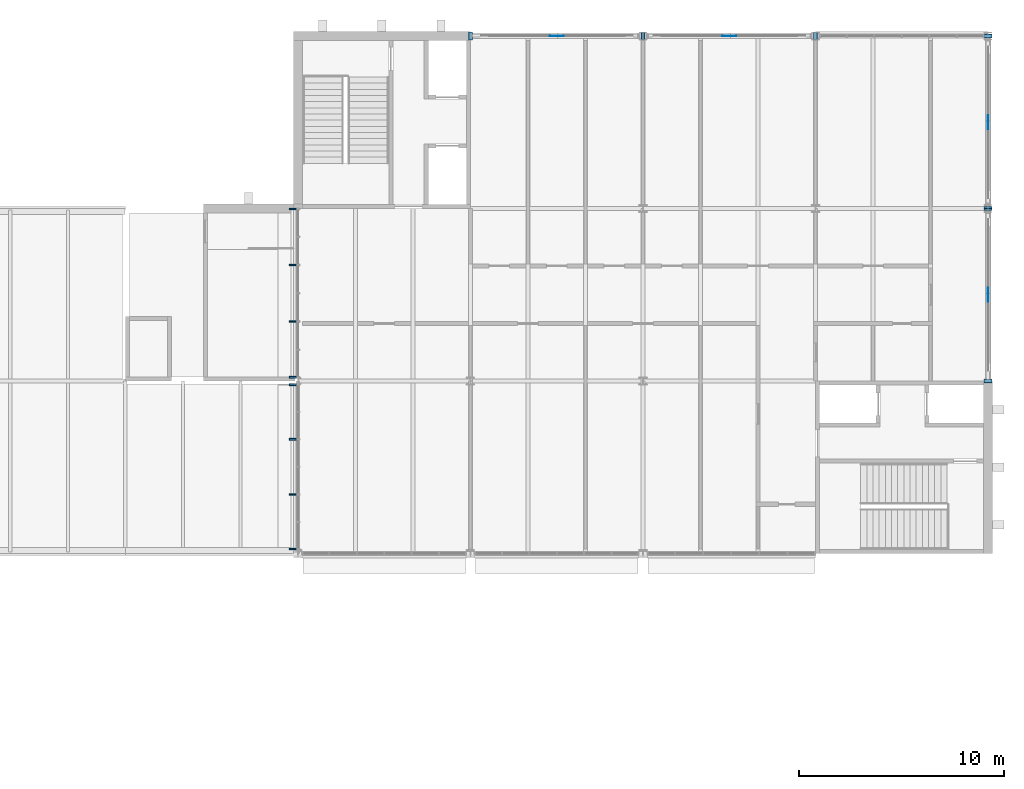
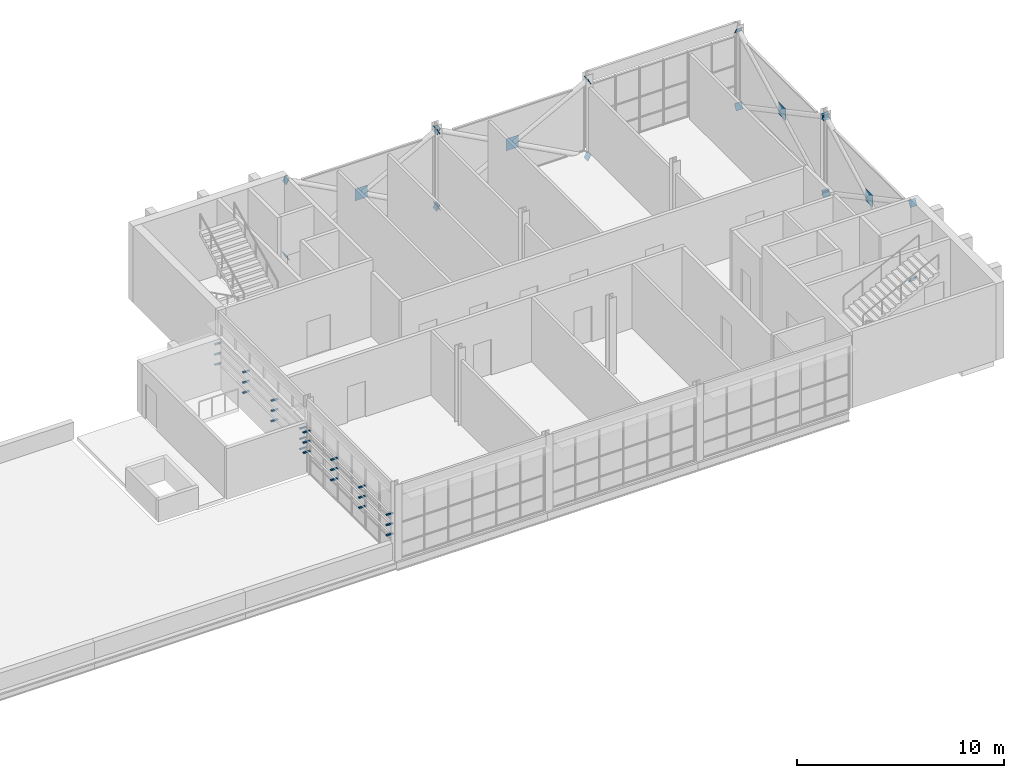
# One storey, part 27 of 29: 44 discrete accessories.
"""IFC4 building model written with IfcOpenShell, lengths in metres."""

from ifc_helpers import new_model, si_unit, direction, frame, origin, origin_2d, place, context, subcontext, project, spatial, rectangle, extrude, material, material_profile, profile_set, type_object, element, save


model = new_model("IFC4")

# Units and contexts
model_context = context("Model", 3, precision=1e-05, world=origin(), true_north=direction((0.0, 1.0)))
body_context = subcontext(model_context, "Body", "Model", "MODEL_VIEW")
ifc_project = project(units=[si_unit("LENGTHUNIT", "METRE"), si_unit("AREAUNIT", "SQUARE_METRE"), si_unit("VOLUMEUNIT", "CUBIC_METRE"), si_unit("PLANEANGLEUNIT", "RADIAN"), si_unit("MASSUNIT", "GRAM", prefix="KILO")], contexts=[model_context])

# Site, building, storey
site_placement = place(None, origin())
site = spatial("IfcSite", under=ifc_project, at=site_placement, CompositionType="ELEMENT")
building_placement = place(site_placement, origin())
building = spatial("IfcBuilding", under=site, at=building_placement, Name="Ardhachandra Cancer Care Centre", CompositionType="ELEMENT")
storey_placement = place(building_placement, frame((0.0, 0.0, 13.5)))
storey = spatial("IfcBuildingStorey", under=building, at=storey_placement, Name="L03", CompositionType="ELEMENT", Elevation=13.5)

# Discrete accessories
ifc_material_1 = material(Name="Steel E250 (IS 2062)", Category="steel")
ifc_material_profile_1 = material_profile(ifc_material_1, rectangle(XDim=0.373046875, YDim=0.373046875, at=origin_2d()), Name="PL 373x373x20")
ifc_profile_set_1 = profile_set([ifc_material_profile_1], Name="Steel E250 (IS 2062)")
discrete_accessory_type_1 = type_object("IfcDiscreteAccessoryType", Name="Brace end plate 373 x 373 x 20", PredefinedType="BRACKET", material=ifc_profile_set_1)
discrete_accessory_1_placement = place(storey_placement, frame((120.0, 105.0, -0.39990234375), z_axis=(0.884384752847, 0.0, 0.466758619558), x_axis=(0.0, 1.0, 0.0)))
element("IfcDiscreteAccessory", 1, at=discrete_accessory_1_placement, inside=storey, type_object=discrete_accessory_type_1, Name="Brace end plate V5-X1050-1200 L03 A0", PredefinedType="BRACKET", context=body_context, shape_type="SweptSolid", body=[
    extrude(rectangle(XDim=0.373046875, YDim=0.373046875, at=origin_2d()), origin(), (0.0, 0.0, 1.0), 0.019775390625),
])
discrete_accessory_2_placement = place(storey_placement, frame((128.39990234375, 105.0, 4.10009765625), z_axis=(-0.879291966537, 0.0, -0.476283148541), x_axis=(0.0, -1.0, 0.0)))
element("IfcDiscreteAccessory", 2, at=discrete_accessory_2_placement, inside=storey, type_object=discrete_accessory_type_1, Name="Brace end plate V5-X1050-1200 L03 A1", PredefinedType="BRACKET", context=body_context, shape_type="SweptSolid", body=[
    extrude(rectangle(XDim=0.373046875, YDim=0.373046875, at=origin_2d()), origin(), (0.0, 0.0, 1.0), 0.02001953125),
])
discrete_accessory_3_placement = place(storey_placement, frame((128.39990234375, 105.0, -0.39990234375), z_axis=(-0.884384752847, 0.0, 0.466758619558), x_axis=(0.0, -1.0, 0.0)))
element("IfcDiscreteAccessory", 3, at=discrete_accessory_3_placement, inside=storey, type_object=discrete_accessory_type_1, Name="Brace end plate V5-X1050-1200 L03 B10", PredefinedType="BRACKET", context=body_context, shape_type="SweptSolid", body=[
    extrude(rectangle(XDim=0.373046875, YDim=0.373046875, at=origin_2d()), origin(), (0.0, 0.0, 1.0), 0.019775390625),
])
for number, where, z_axis, x_axis, name in (
    (4, (120.0, 105.0, 4.10009765625), (0.879291966537, 0.0, -0.476283148541), (0.0, 1.0, 0.0), "Brace end plate V5-X1050-1200 L03 B21"),
    (5, (128.39990234375, 105.0, -0.39990234375), (0.887017774073, 0.0, 0.461735279655), (0.0, 1.0, 0.0), "Brace end plate V5-X1050-1284 L03 A0"),
    (6, (136.800048828125, 105.0, 4.10009765625), (-0.879291966537, 0.0, -0.476283148541), (0.0, -1.0, 0.0), "Brace end plate V5-X1050-1284 L03 A1"),
):
    element("IfcDiscreteAccessory", number, at=place(storey_placement, frame(where, z_axis=z_axis, x_axis=x_axis)), inside=storey, type_object=discrete_accessory_type_1, Name=name, PredefinedType="BRACKET", context=body_context, shape_type="SweptSolid", body=[
        extrude(rectangle(XDim=0.373046875, YDim=0.373046875, at=origin_2d()), origin(), (0.0, 0.0, 1.0), 0.02001953125),
    ])
discrete_accessory_4_placement = place(storey_placement, frame((136.800048828125, 105.0, -0.39990234375), z_axis=(-0.884384752847, 0.0, 0.466758619558), x_axis=(0.0, -1.0, 0.0)))
element("IfcDiscreteAccessory", 7, at=discrete_accessory_4_placement, inside=storey, type_object=discrete_accessory_type_1, Name="Brace end plate V5-X1050-1284 L03 B10", PredefinedType="BRACKET", context=body_context, shape_type="SweptSolid", body=[
    extrude(rectangle(XDim=0.373046875, YDim=0.373046875, at=origin_2d()), origin(), (0.0, 0.0, 1.0), 0.019775390625),
])
discrete_accessory_5_placement = place(storey_placement, frame((128.39990234375, 105.0, 4.10009765625), z_axis=(0.882018256262, 0.0, -0.471215232798), x_axis=(0.0, 1.0, 0.0)))
element("IfcDiscreteAccessory", 8, at=discrete_accessory_5_placement, inside=storey, type_object=discrete_accessory_type_1, Name="Brace end plate V5-X1050-1284 L03 B21", PredefinedType="BRACKET", context=body_context, shape_type="SweptSolid", body=[
    extrude(rectangle(XDim=0.373046875, YDim=0.373046875, at=origin_2d()), origin(), (0.0, 0.0, 1.0), 0.020263671875),
])
discrete_accessory_6_placement = place(storey_placement, frame((145.199951171875, 88.199951171875, -0.39990234375), z_axis=(0.0, 0.884384752847, 0.466758619558), x_axis=(-1.0, 0.0, 0.0)))
element("IfcDiscreteAccessory", 9, at=discrete_accessory_6_placement, inside=storey, type_object=discrete_accessory_type_1, Name="Brace end plate V5-Y1452-882 L03 A0", PredefinedType="BRACKET", context=body_context, shape_type="SweptSolid", body=[
    extrude(rectangle(XDim=0.373046875, YDim=0.373046875, at=origin_2d()), origin(), (0.0, 0.0, 1.0), 0.019775390625),
])
discrete_accessory_7_placement = place(storey_placement, frame((145.199951171875, 96.60009765625, 4.10009765625), z_axis=(0.0, -0.882018256262, -0.471215232798), x_axis=(1.0, 0.0, 0.0)))
element("IfcDiscreteAccessory", 10, at=discrete_accessory_7_placement, inside=storey, type_object=discrete_accessory_type_1, Name="Brace end plate V5-Y1452-882 L03 A1", PredefinedType="BRACKET", context=body_context, shape_type="SweptSolid", body=[
    extrude(rectangle(XDim=0.373046875, YDim=0.373046875, at=origin_2d()), origin(), (0.0, 0.0, 1.0), 0.020263671875),
])
for number, where, z_axis, x_axis, name in (
    (11, (145.199951171875, 96.60009765625, -0.39990234375), (0.0, -0.887017774073, 0.461735279655), (1.0, 0.0, 0.0), "Brace end plate V5-Y1452-882 L03 B10"),
    (12, (145.199951171875, 88.199951171875, 4.10009765625), (0.0, 0.879291966537, -0.476283148541), (-1.0, 0.0, 0.0), "Brace end plate V5-Y1452-882 L03 B21"),
):
    element("IfcDiscreteAccessory", number, at=place(storey_placement, frame(where, z_axis=z_axis, x_axis=x_axis)), inside=storey, type_object=discrete_accessory_type_1, Name=name, PredefinedType="BRACKET", context=body_context, shape_type="SweptSolid", body=[
        extrude(rectangle(XDim=0.373046875, YDim=0.373046875, at=origin_2d()), origin(), (0.0, 0.0, 1.0), 0.02001953125),
    ])
discrete_accessory_8_placement = place(storey_placement, frame((145.199951171875, 96.60009765625, -0.39990234375), z_axis=(0.0, 0.884384752847, 0.466758619558), x_axis=(-1.0, 0.0, 0.0)))
element("IfcDiscreteAccessory", 13, at=discrete_accessory_8_placement, inside=storey, type_object=discrete_accessory_type_1, Name="Brace end plate V5-Y1452-966 L03 A0", PredefinedType="BRACKET", context=body_context, shape_type="SweptSolid", body=[
    extrude(rectangle(XDim=0.373046875, YDim=0.373046875, at=origin_2d()), origin(), (0.0, 0.0, 1.0), 0.019775390625),
])
discrete_accessory_9_placement = place(storey_placement, frame((145.199951171875, 105.0, 4.10009765625), z_axis=(0.0, -0.879291966537, -0.476283148541), x_axis=(1.0, 0.0, 0.0)))
element("IfcDiscreteAccessory", 14, at=discrete_accessory_9_placement, inside=storey, type_object=discrete_accessory_type_1, Name="Brace end plate V5-Y1452-966 L03 A1", PredefinedType="BRACKET", context=body_context, shape_type="SweptSolid", body=[
    extrude(rectangle(XDim=0.373046875, YDim=0.373046875, at=origin_2d()), origin(), (0.0, 0.0, 1.0), 0.02001953125),
])
discrete_accessory_10_placement = place(storey_placement, frame((145.199951171875, 105.0, -0.39990234375), z_axis=(0.0, -0.884384752847, 0.466758619558), x_axis=(1.0, 0.0, 0.0)))
element("IfcDiscreteAccessory", 15, at=discrete_accessory_10_placement, inside=storey, type_object=discrete_accessory_type_1, Name="Brace end plate V5-Y1452-966 L03 B10", PredefinedType="BRACKET", context=body_context, shape_type="SweptSolid", body=[
    extrude(rectangle(XDim=0.373046875, YDim=0.373046875, at=origin_2d()), origin(), (0.0, 0.0, 1.0), 0.019775390625),
])
discrete_accessory_11_placement = place(storey_placement, frame((145.199951171875, 96.60009765625, 4.10009765625), z_axis=(0.0, 0.879291966537, -0.476283148541), x_axis=(-1.0, 0.0, 0.0)))
element("IfcDiscreteAccessory", 16, at=discrete_accessory_11_placement, inside=storey, type_object=discrete_accessory_type_1, Name="Brace end plate V5-Y1452-966 L03 B21", PredefinedType="BRACKET", context=body_context, shape_type="SweptSolid", body=[
    extrude(rectangle(XDim=0.373046875, YDim=0.373046875, at=origin_2d()), origin(), (0.0, 0.0, 1.0), 0.02001953125),
])
ifc_material_2 = material(Name="Steel E250 (IS 2062)", Category="steel")
ifc_material_profile_2 = material_profile(ifc_material_2, rectangle(XDim=0.699951171875, YDim=0.699951171875, at=origin_2d()), Name="PL 700x700x20")
ifc_profile_set_2 = profile_set([ifc_material_profile_2], Name="Steel E250 (IS 2062)")
discrete_accessory_type_2 = type_object("IfcDiscreteAccessoryType", Name="Brace node plate 700 x 700 x 20", PredefinedType="BRACKET", material=ifc_profile_set_2)
for number, where, z_axis, x_axis, name in (
    (17, (124.199951171875, 104.989990234375, 1.85009765625), (0.0, 1.0, 0.0), (-1.0, 0.0, 0.0), "Brace node plate V5-X1050-1200 L03"),
    (18, (132.60009765625, 104.989990234375, 1.85009765625), (0.0, 1.0, 0.0), (-1.0, 0.0, 0.0), "Brace node plate V5-X1050-1284 L03"),
    (19, (145.18994140625, 92.39990234375, 1.85009765625), (1.0, 0.0, 0.0), (0.0, 1.0, 0.0), "Brace node plate V5-Y1452-882 L03"),
    (20, (145.18994140625, 100.800048828125, 1.85009765625), (1.0, 0.0, 0.0), (0.0, 1.0, 0.0), "Brace node plate V5-Y1452-966 L03"),
):
    element("IfcDiscreteAccessory", number, at=place(storey_placement, frame(where, z_axis=z_axis, x_axis=x_axis)), inside=storey, type_object=discrete_accessory_type_2, Name=name, PredefinedType="BRACKET", context=body_context, shape_type="SweptSolid", body=[
        extrude(rectangle(XDim=0.699951171875, YDim=0.699951171875, at=origin_2d()), origin(), (0.0, 0.0, 1.0), 0.02001953125),
    ])
ifc_material_3 = material(Name="Galvanised flat steel (Steel E250 (IS 2062))", Category="steel")
discrete_accessory_type_3 = type_object("IfcDiscreteAccessoryType", Name="Louvre bracket 80 x 350", PredefinedType="BRACKET", material=ifc_material_3)
for number, where, z_axis, x_axis, name in (
    (21, (111.344970703125, 80.02001953125, 1.38427734375), (0.0, 0.0, 1.0), (0.0, 1.0, 0.0), "Louvre bracket L03/w/0111600_0079800 1.1"),
    (22, (111.344970703125, 82.6767578125, 1.38427734375), (0.0, 0.0, 1.0), (0.0, 1.0, 0.0), "Louvre bracket L03/w/0111600_0079800 1.2"),
    (23, (111.344970703125, 85.36328125, 1.38427734375), (0.0, 0.0, 1.0), (0.0, 1.0, 0.0), "Louvre bracket L03/w/0111600_0079800 1.3"),
    (24, (111.344970703125, 88.02001953125, 1.38427734375), (0.0, 0.0, 1.0), (0.0, 1.0, 0.0), "Louvre bracket L03/w/0111600_0079800 1.4"),
    (25, (111.344970703125, 80.02001953125, 1.984375), (0.0, 0.0, 1.0), (0.0, 1.0, 0.0), "Louvre bracket L03/w/0111600_0079800 2.1"),
    (26, (111.344970703125, 82.6767578125, 1.984375), (0.0, 0.0, 1.0), (0.0, 1.0, 0.0), "Louvre bracket L03/w/0111600_0079800 2.2"),
    (27, (111.344970703125, 85.36328125, 1.984375), (0.0, 0.0, 1.0), (0.0, 1.0, 0.0), "Louvre bracket L03/w/0111600_0079800 2.3"),
    (28, (111.344970703125, 88.02001953125, 1.984375), (0.0, 0.0, 1.0), (0.0, 1.0, 0.0), "Louvre bracket L03/w/0111600_0079800 2.4"),
    (29, (111.344970703125, 80.02001953125, 2.58447265625), (0.0, 0.0, 1.0), (0.0, 1.0, 0.0), "Louvre bracket L03/w/0111600_0079800 3.1"),
    (30, (111.344970703125, 82.6767578125, 2.58447265625), (0.0, 0.0, 1.0), (0.0, 1.0, 0.0), "Louvre bracket L03/w/0111600_0079800 3.2"),
    (31, (111.344970703125, 85.36328125, 2.58447265625), (0.0, 0.0, 1.0), (0.0, 1.0, 0.0), "Louvre bracket L03/w/0111600_0079800 3.3"),
    (32, (111.344970703125, 88.02001953125, 2.58447265625), (0.0, 0.0, 1.0), (0.0, 1.0, 0.0), "Louvre bracket L03/w/0111600_0079800 3.4"),
    (33, (111.344970703125, 88.3798828125, 1.38427734375), (0.0, 0.0, 1.0), (0.0, 1.0, 0.0), "Louvre bracket L03/w/0111600_0088200 1.1"),
    (34, (111.344970703125, 91.10009765625, 1.38427734375), (0.0, 0.0, 1.0), (0.0, 1.0, 0.0), "Louvre bracket L03/w/0111600_0088200 1.2"),
    (35, (111.344970703125, 93.85009765625, 1.38427734375), (0.0, 0.0, 1.0), (0.0, 1.0, 0.0), "Louvre bracket L03/w/0111600_0088200 1.3"),
    (36, (111.344970703125, 96.570068359375, 1.38427734375), (0.0, 0.0, 1.0), (0.0, 1.0, 0.0), "Louvre bracket L03/w/0111600_0088200 1.4"),
    (37, (111.344970703125, 88.3798828125, 1.984375), (0.0, 0.0, 1.0), (0.0, 1.0, 0.0), "Louvre bracket L03/w/0111600_0088200 2.1"),
    (38, (111.344970703125, 91.10009765625, 1.984375), (0.0, 0.0, 1.0), (0.0, 1.0, 0.0), "Louvre bracket L03/w/0111600_0088200 2.2"),
    (39, (111.344970703125, 93.85009765625, 1.984375), (0.0, 0.0, 1.0), (0.0, 1.0, 0.0), "Louvre bracket L03/w/0111600_0088200 2.3"),
    (40, (111.344970703125, 96.570068359375, 1.984375), (0.0, 0.0, 1.0), (0.0, 1.0, 0.0), "Louvre bracket L03/w/0111600_0088200 2.4"),
    (41, (111.344970703125, 88.3798828125, 2.58447265625), (0.0, 0.0, 1.0), (0.0, 1.0, 0.0), "Louvre bracket L03/w/0111600_0088200 3.1"),
    (42, (111.344970703125, 91.10009765625, 2.58447265625), (0.0, 0.0, 1.0), (0.0, 1.0, 0.0), "Louvre bracket L03/w/0111600_0088200 3.2"),
    (43, (111.344970703125, 93.85009765625, 2.58447265625), (0.0, 0.0, 1.0), (0.0, 1.0, 0.0), "Louvre bracket L03/w/0111600_0088200 3.3"),
    (44, (111.344970703125, 96.570068359375, 2.58447265625), (0.0, 0.0, 1.0), (0.0, 1.0, 0.0), "Louvre bracket L03/w/0111600_0088200 3.4"),
):
    element("IfcDiscreteAccessory", number, at=place(storey_placement, frame(where, z_axis=z_axis, x_axis=x_axis)), inside=storey, type_object=discrete_accessory_type_3, Name=name, PredefinedType="BRACKET", context=body_context, shape_type="SweptSolid", body=[
        extrude(rectangle(XDim=0.080078125, YDim=0.35009765625, at=origin_2d()), origin(), (0.0, 0.0, 1.0), 0.050048828125),
    ])

save(model, "model.ifc")
